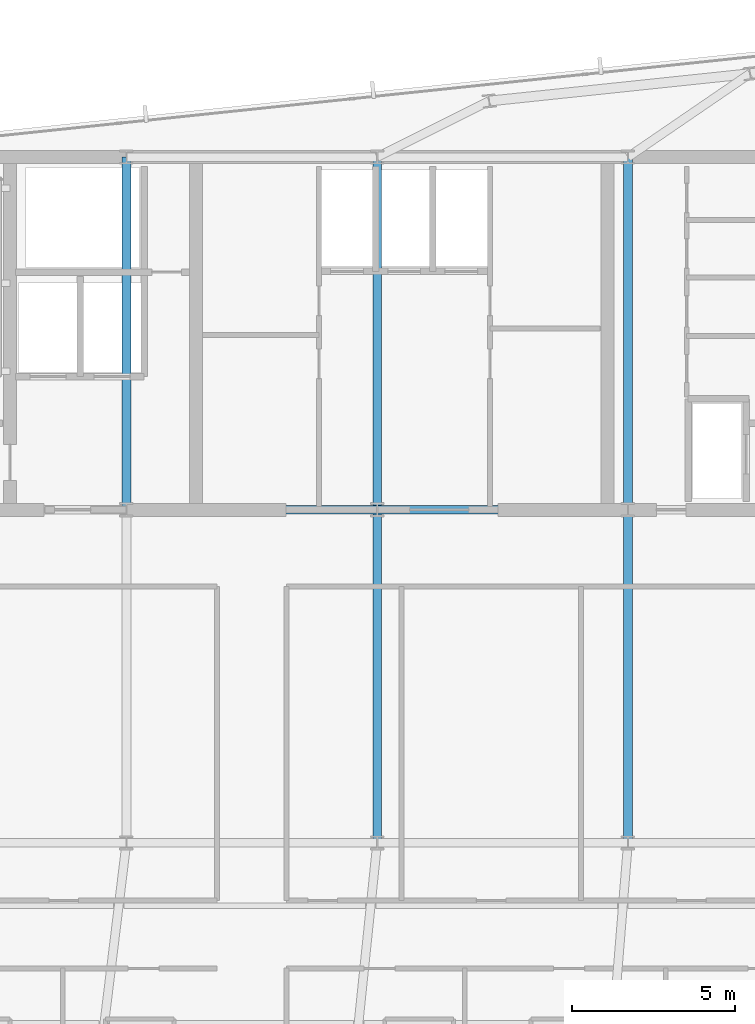
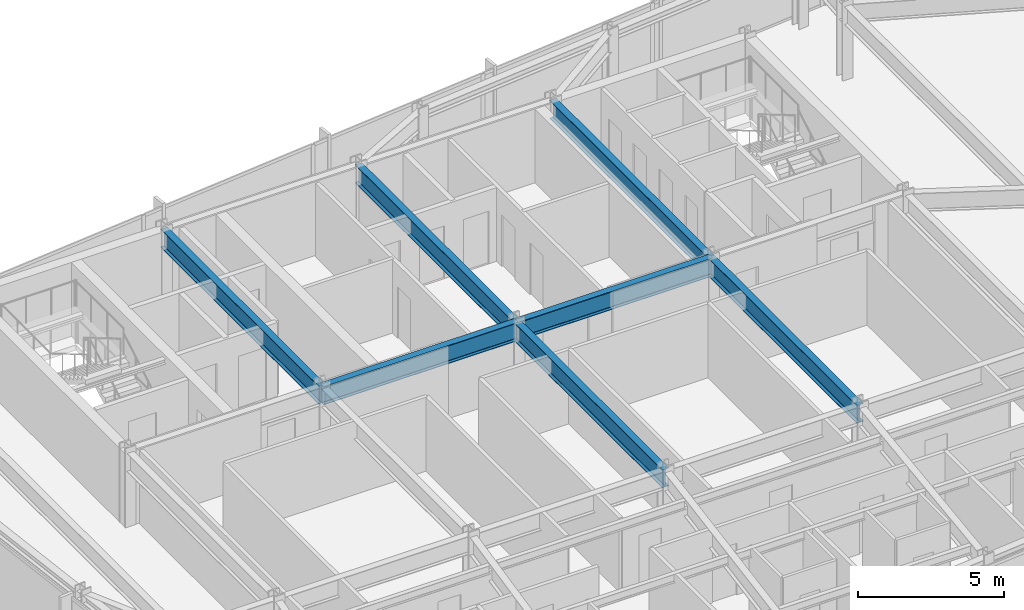
# One storey, part 13 of 33: 7 beams.
"""IFC4 building model written with IfcOpenShell, lengths in metres."""

from ifc_helpers import new_model, si_unit, direction, frame, origin, origin_2d, place, context, subcontext, project, spatial, i_section, extrude, material, material_profile, profile_set, type_object, element, save


model = new_model("IFC4")

# Units and contexts
model_context = context("Model", 3, precision=1e-05, world=origin(), true_north=direction((0.0, 1.0)))
body_context = subcontext(model_context, "Body", "Model", "MODEL_VIEW")
ifc_project = project(units=[si_unit("LENGTHUNIT", "METRE"), si_unit("AREAUNIT", "SQUARE_METRE"), si_unit("VOLUMEUNIT", "CUBIC_METRE"), si_unit("PLANEANGLEUNIT", "RADIAN"), si_unit("MASSUNIT", "GRAM", prefix="KILO")], contexts=[model_context])

# Site, building, storey
site_placement = place(None, origin())
site = spatial("IfcSite", under=ifc_project, at=site_placement, CompositionType="ELEMENT")
building_placement = place(site_placement, origin())
building = spatial("IfcBuilding", under=site, at=building_placement, Name="Yelkora Congress Tower", CompositionType="ELEMENT")
storey_placement = place(building_placement, frame((0.0, 0.0, 230.89990234375)))
storey = spatial("IfcBuildingStorey", under=building, at=storey_placement, Name="L64", CompositionType="ELEMENT", Elevation=230.89990234375)

# Beams
ifc_material = material(Name="Steel S355J2", Category="steel")
ifc_material_profile = material_profile(ifc_material, i_section(OverallWidth=0.26708984375, OverallDepth=0.761962890625, WebThickness=0.014404296875, FlangeThickness=0.021484375, FilletRadius=0.01708984375, at=origin_2d()), Name="IPE 750x173")
ifc_profile_set = profile_set([ifc_material_profile], Name="Steel S355J2")
beam_type = type_object("IfcBeamType", Name="BM-GIRD-IPE750", PredefinedType="BEAM", material=ifc_profile_set)
beam_1_placement = place(storey_placement, frame((30.719970703125, 35.39990234375, 2.69921875), z_axis=(1.0, 0.0, 0.0), x_axis=(0.0, 1.0, 0.0)))
element("IfcBeam", 1, at=beam_1_placement, inside=storey, type_object=beam_type, Name="L64 Core South Girder 2", PredefinedType="BEAM", context=body_context, shape_type="SweptSolid", body=[
    extrude(i_section(OverallWidth=0.26708984375, OverallDepth=0.761962890625, WebThickness=0.014404296875, FlangeThickness=0.021484375, FilletRadius=0.01708984375, at=origin_2d()), origin(), (0.0, 0.0, 1.0), 7.679931640625),
])
beam_2_placement = place(storey_placement, frame((38.39990234375, 35.39990234375, 2.69921875), z_axis=(1.0, 0.0, 0.0), x_axis=(0.0, 1.0, 0.0)))
element("IfcBeam", 2, at=beam_2_placement, inside=storey, type_object=beam_type, Name="L64 Core South Girder 3", PredefinedType="BEAM", context=body_context, shape_type="SweptSolid", body=[
    extrude(i_section(OverallWidth=0.26708984375, OverallDepth=0.761962890625, WebThickness=0.014404296875, FlangeThickness=0.021484375, FilletRadius=0.01708984375, at=origin_2d()), origin(), (0.0, 0.0, 1.0), 7.68017578125),
])
beam_3_placement = place(storey_placement, frame((30.719970703125, 35.39990234375, 2.69921875), z_axis=(0.0, 1.0, 0.0), x_axis=(-1.0, 0.0, 0.0)))
element("IfcBeam", 3, at=beam_3_placement, inside=storey, type_object=beam_type, Name="L64 Core Tie Girder MC-S2", PredefinedType="BEAM", context=body_context, shape_type="SweptSolid", body=[
    extrude(i_section(OverallWidth=0.26708984375, OverallDepth=0.761962890625, WebThickness=0.014404296875, FlangeThickness=0.021484375, FilletRadius=0.01708984375, at=origin_2d()), origin(), (0.0, 0.0, 1.0), 10.800048828125),
])
beam_4_placement = place(storey_placement, frame((38.39990234375, 25.199951171875, 2.69921875), z_axis=(0.0, 1.0, 0.0), x_axis=(-1.0, 0.0, 0.0)))
element("IfcBeam", 4, at=beam_4_placement, inside=storey, type_object=beam_type, Name="L64 Core Tie Girder MC-D3", PredefinedType="BEAM", context=body_context, shape_type="SweptSolid", body=[
    extrude(i_section(OverallWidth=0.26708984375, OverallDepth=0.761962890625, WebThickness=0.014404296875, FlangeThickness=0.021484375, FilletRadius=0.01708984375, at=origin_2d()), origin(), (0.0, 0.0, 1.0), 10.199951171875),
])
beam_5_placement = place(storey_placement, frame((38.39990234375, 35.39990234375, 2.69921875), z_axis=(0.0, 1.0, 0.0), x_axis=(-1.0, 0.0, 0.0)))
element("IfcBeam", 5, at=beam_5_placement, inside=storey, type_object=beam_type, Name="L64 Core Tie Girder MC-S3", PredefinedType="BEAM", context=body_context, shape_type="SweptSolid", body=[
    extrude(i_section(OverallWidth=0.26708984375, OverallDepth=0.761962890625, WebThickness=0.014404296875, FlangeThickness=0.021484375, FilletRadius=0.01708984375, at=origin_2d()), origin(), (0.0, 0.0, 1.0), 10.800048828125),
])
beam_6_placement = place(storey_placement, frame((46.080078125, 25.199951171875, 2.69921875), z_axis=(0.0, 1.0, 0.0), x_axis=(-1.0, 0.0, 0.0)))
element("IfcBeam", 6, at=beam_6_placement, inside=storey, type_object=beam_type, Name="L64 Core Tie Girder MC-D4", PredefinedType="BEAM", context=body_context, shape_type="SweptSolid", body=[
    extrude(i_section(OverallWidth=0.26708984375, OverallDepth=0.761962890625, WebThickness=0.014404296875, FlangeThickness=0.021484375, FilletRadius=0.01708984375, at=origin_2d()), origin(), (0.0, 0.0, 1.0), 10.199951171875),
])
beam_7_placement = place(storey_placement, frame((46.080078125, 35.39990234375, 2.69921875), z_axis=(0.0, 1.0, 0.0), x_axis=(-1.0, 0.0, 0.0)))
element("IfcBeam", 7, at=beam_7_placement, inside=storey, type_object=beam_type, Name="L64 Core Tie Girder MC-S4", PredefinedType="BEAM", context=body_context, shape_type="SweptSolid", body=[
    extrude(i_section(OverallWidth=0.26708984375, OverallDepth=0.761962890625, WebThickness=0.014404296875, FlangeThickness=0.021484375, FilletRadius=0.01708984375, at=origin_2d()), origin(), (0.0, 0.0, 1.0), 10.800048828125),
])

save(model, "model.ifc")
